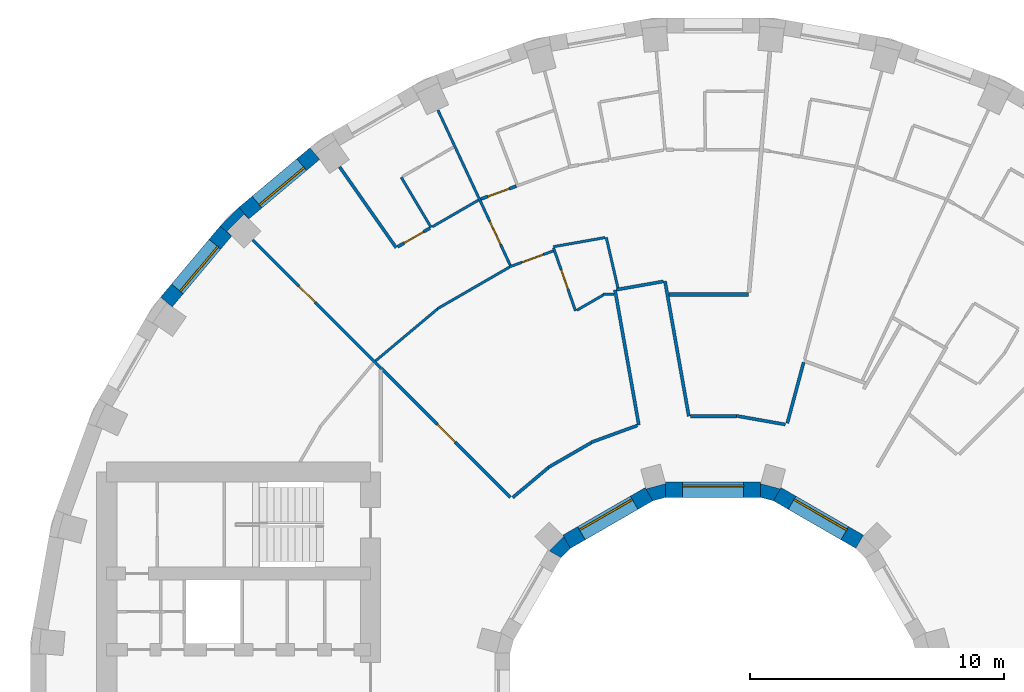
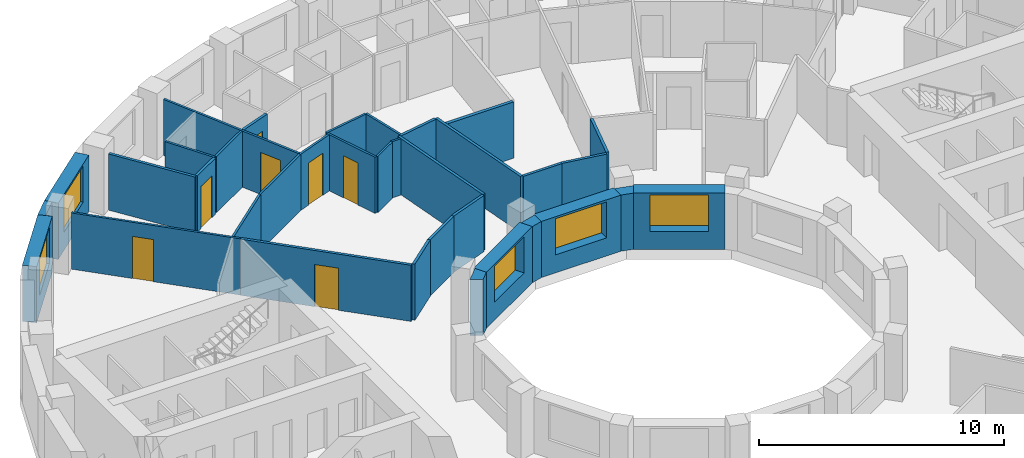
# One storey, part 11 of 16: 35 walls, 7 doors, 5 windows, 12 openings.
"""IFC4 building model written with IfcOpenShell, lengths in metres."""

from ifc_helpers import new_model, si_unit, direction, frame, frame_2d, origin, place, context, subcontext, project, spatial, polyline, rectangle, outline, extrude, material, layer, layer_set, type_object, element, fill, save


model = new_model("IFC4")

# Units and contexts
model_context = context("Model", 3, precision=1e-05, world=origin(), true_north=direction((0.0, 1.0)))
body_context = subcontext(model_context, "Body", "Model", "MODEL_VIEW")
ifc_project = project(units=[si_unit("LENGTHUNIT", "METRE"), si_unit("AREAUNIT", "SQUARE_METRE"), si_unit("VOLUMEUNIT", "CUBIC_METRE"), si_unit("PLANEANGLEUNIT", "RADIAN"), si_unit("MASSUNIT", "GRAM", prefix="KILO")], contexts=[model_context])

# Site, building, storey
site_placement = place(None, origin())
site = spatial("IfcSite", under=ifc_project, at=site_placement, CompositionType="ELEMENT")
building_placement = place(site_placement, origin())
building = spatial("IfcBuilding", under=site, at=building_placement, Name="Saqina Gate Tower", CompositionType="ELEMENT")
storey_placement = place(building_placement, frame((0.0, 0.0, 128.199951171875)))
storey = spatial("IfcBuildingStorey", under=building, at=storey_placement, Name="L36", CompositionType="ELEMENT", Elevation=128.199951171875)

# Wall
ifc_material_1 = material(Name="Brick masonry (buff)", Category="masonry")
wall_type_1 = type_object("IfcWallType", Name="BRICK PIER COPING BUFF", PredefinedType="SOLIDWALL", material=ifc_material_1)
wall_1_placement = place(storey_placement, origin())
element("IfcWall", 1, at=wall_1_placement, inside=storey, type_object=wall_type_1, Name="Pier cap L36 column 14", PredefinedType="SOLIDWALL", context=body_context, shape_type="SweptSolid", body=[
    extrude(outline(polyline([(-18.686279296875, 19.43212890625), (-19.43212890625, 18.686279296875), (-18.972412109375, 18.30078125), (-19.16259765625, 18.49072265625), (-18.49072265625, 19.16259765625), (-18.30078125, 18.972412109375), (-18.686279296875, 19.43212890625)])), origin(), (0.0, 0.0, 1.0), 2.800048828125),
])

# Wall, opening, window
ifc_material_2 = material(Name="Brick masonry (buff)", Category="masonry")
ifc_layer_1 = layer(ifc_material_2, 0.60009765625)
ifc_layer_set_1 = layer_set([ifc_layer_1], Name="FW-BRICK-BUFF")
wall_type_2 = type_object("IfcWallType", Name="FW-BRICK-BUFF", PredefinedType="SOLIDWALL", material=ifc_layer_set_1)
wall_2_placement = place(storey_placement, frame((-15.69921875, 21.547119140625, 0.0), z_axis=(0.0, 0.0, 1.0), x_axis=(-0.766055462616, -0.642774476932, 0.0)))
wall_2 = element("IfcWall", 2, at=wall_2_placement, inside=storey, type_object=wall_type_2, Name="Facade wall L36 facet 13", PredefinedType="SOLIDWALL", context=body_context, shape_type="SweptSolid", body=[
    extrude(rectangle(XDim=3.647705078125, YDim=0.60009765625, at=frame_2d((1.82373046875, 0.0))), origin(), (0.0, 0.0, 1.0), 2.800048828125),
])
opening_1_placement = place(wall_2_placement, frame((0.673828125, 0.0, 0.89990234375)))
opening_1 = element("IfcOpeningElement", 3, at=opening_1_placement, cuts=wall_2, Name="Opening G10-W11", PredefinedType="OPENING", context=body_context, shape_type="SweptSolid", body=[
    extrude(rectangle(XDim=2.300048828125, YDim=1.800048828125, at=frame_2d((1.14990234375, 0.89990234375))), frame((0.0, 0.31201171875, 0.0), z_axis=(0.0, -1.0, 0.0), x_axis=(1.0, 0.0, 0.0)), (0.0, 0.0, 1.0), 0.6240234375),
])
ifc_material_3 = material(Name="Aluminium glazing", Category="aluminium")
window_type_1 = type_object("IfcWindowType", Name="WN-B", PartitioningType="SINGLE_PANEL", PredefinedType="WINDOW", material=ifc_material_3)
window_1_placement = place(opening_1_placement, origin())
window_1 = element("IfcWindow", 4, at=window_1_placement, inside=storey, type_object=window_type_1, Name="Window L36 facet 13", OverallHeight=1.800048828125, OverallWidth=2.300048828125, PartitioningType="SINGLE_PANEL", PredefinedType="WINDOW", context=body_context, shape_type="SweptSolid", body=[
    extrude(rectangle(XDim=2.300048828125, YDim=1.800048828125, at=frame_2d((1.14990234375, 0.89990234375))), frame((0.0, 0.179931640625, 0.0), z_axis=(0.0, -1.0, 0.0), x_axis=(1.0, 0.0, 0.0)), (0.0, 0.0, 1.0), 0.06005859375),
])
fill(opening_1, window_1)

wall_3_placement = place(storey_placement, frame((-19.202392578125, 18.49365234375, 0.0), z_axis=(0.0, 0.0, 1.0), x_axis=(-0.642774476932, -0.766055462616, 0.0)))
wall_3 = element("IfcWall", 5, at=wall_3_placement, inside=storey, type_object=wall_type_2, Name="Facade wall L36 facet 14", PredefinedType="SOLIDWALL", context=body_context, shape_type="SweptSolid", body=[
    extrude(rectangle(XDim=3.647705078125, YDim=0.60009765625, at=frame_2d((1.82373046875, 0.0))), origin(), (0.0, 0.0, 1.0), 2.800048828125),
])
opening_2_placement = place(wall_3_placement, frame((0.673828125, 0.0, 0.89990234375)))
opening_2 = element("IfcOpeningElement", 6, at=opening_2_placement, cuts=wall_3, Name="Opening G10-W12", PredefinedType="OPENING", context=body_context, shape_type="SweptSolid", body=[
    extrude(rectangle(XDim=2.300048828125, YDim=1.800048828125, at=frame_2d((1.14990234375, 0.89990234375))), frame((0.0, 0.31201171875, 0.0), z_axis=(0.0, -1.0, 0.0), x_axis=(1.0, 0.0, 0.0)), (0.0, 0.0, 1.0), 0.6240234375),
])
window_2_placement = place(opening_2_placement, origin())
window_2 = element("IfcWindow", 7, at=window_2_placement, inside=storey, type_object=window_type_1, Name="Window L36 facet 14", OverallHeight=1.800048828125, OverallWidth=2.300048828125, PartitioningType="SINGLE_PANEL", PredefinedType="WINDOW", context=body_context, shape_type="SweptSolid", body=[
    extrude(rectangle(XDim=2.300048828125, YDim=1.800048828125, at=frame_2d((1.14990234375, 0.89990234375))), frame((0.0, 0.179931640625, 0.0), z_axis=(0.0, -1.0, 0.0), x_axis=(1.0, 0.0, 0.0)), (0.0, 0.0, 1.0), 0.06005859375),
])
fill(opening_2, window_2)

ifc_material_4 = material(Name="Glazed ceramic tile", Category="ceramic")
ifc_layer_2 = layer(ifc_material_4, 0.60009765625)
ifc_layer_set_2 = layer_set([ifc_layer_2], Name="IW-TILE")
wall_type_3 = type_object("IfcWallType", Name="IW-TILE", PredefinedType="SOLIDWALL", material=ifc_layer_set_2)
wall_4_placement = place(storey_placement, frame((5.772705078125, 6.251220703125, 0.0), z_axis=(0.0, 0.0, 1.0), x_axis=(-0.86604563398, 0.499964958637, 0.0)))
wall_4 = element("IfcWall", 8, at=wall_4_placement, inside=storey, type_object=wall_type_3, Name="Well wall L36 facet 2", PredefinedType="SOLIDWALL", context=body_context, shape_type="SweptSolid", body=[
    extrude(rectangle(XDim=3.747314453125, YDim=0.60009765625, at=frame_2d((1.87353515625, 0.0))), origin(), (0.0, 0.0, 1.0), 2.800048828125),
])
opening_3_placement = place(wall_4_placement, frame((0.673583984375, 0.0, 0.89990234375)))
opening_3 = element("IfcOpeningElement", 9, at=opening_3_placement, cuts=wall_4, Name="Opening G10-W24", PredefinedType="OPENING", context=body_context, shape_type="SweptSolid", body=[
    extrude(rectangle(XDim=2.39990234375, YDim=1.800048828125, at=frame_2d((1.199951171875, 0.89990234375))), frame((0.0, 0.31201171875, 0.0), z_axis=(0.0, -1.0, 0.0), x_axis=(1.0, 0.0, 0.0)), (0.0, 0.0, 1.0), 0.6240234375),
])
ifc_material_5 = material(Name="Aluminium glazing", Category="aluminium")
window_type_2 = type_object("IfcWindowType", Name="WN-W", PartitioningType="SINGLE_PANEL", PredefinedType="WINDOW", material=ifc_material_5)
window_3_placement = place(opening_3_placement, origin())
window_3 = element("IfcWindow", 10, at=window_3_placement, inside=storey, type_object=window_type_2, Name="Well window L36 facet 2", OverallHeight=1.800048828125, OverallWidth=2.39990234375, PartitioningType="SINGLE_PANEL", PredefinedType="WINDOW", context=body_context, shape_type="SweptSolid", body=[
    extrude(rectangle(XDim=2.39990234375, YDim=1.800048828125, at=frame_2d((1.199951171875, 0.89990234375))), frame((0.0, -0.119873046875, 0.0), z_axis=(0.0, -1.0, 0.0), x_axis=(1.0, 0.0, 0.0)), (0.0, 0.0, 1.0), 0.06005859375),
])
fill(opening_3, window_3)

wall_5_placement = place(storey_placement, frame((1.873779296875, 8.300048828125, 0.0), z_axis=(0.0, 0.0, 1.0), x_axis=(-1.0, 0.0, 0.0)))
wall_5 = element("IfcWall", 11, at=wall_5_placement, inside=storey, type_object=wall_type_3, Name="Well wall L36 facet 3", PredefinedType="SOLIDWALL", context=body_context, shape_type="SweptSolid", body=[
    extrude(rectangle(XDim=3.74755859375, YDim=0.60009765625, at=frame_2d((1.873779296875, 0.0))), origin(), (0.0, 0.0, 1.0), 2.800048828125),
])
opening_4_placement = place(wall_5_placement, frame((0.673583984375, 0.0, 0.89990234375)))
opening_4 = element("IfcOpeningElement", 12, at=opening_4_placement, cuts=wall_5, Name="Opening G10-W25", PredefinedType="OPENING", context=body_context, shape_type="SweptSolid", body=[
    extrude(rectangle(XDim=2.39990234375, YDim=1.800048828125, at=frame_2d((1.199951171875, 0.89990234375))), frame((0.0, 0.31201171875, 0.0), z_axis=(0.0, -1.0, 0.0), x_axis=(1.0, 0.0, 0.0)), (0.0, 0.0, 1.0), 0.6240234375),
])
window_4_placement = place(opening_4_placement, origin())
window_4 = element("IfcWindow", 13, at=window_4_placement, inside=storey, type_object=window_type_2, Name="Well window L36 facet 3", OverallHeight=1.800048828125, OverallWidth=2.39990234375, PartitioningType="SINGLE_PANEL", PredefinedType="WINDOW", context=body_context, shape_type="SweptSolid", body=[
    extrude(rectangle(XDim=2.39990234375, YDim=1.800048828125, at=frame_2d((1.199951171875, 0.89990234375))), frame((0.0, -0.119873046875, 0.0), z_axis=(0.0, -1.0, 0.0), x_axis=(1.0, 0.0, 0.0)), (0.0, 0.0, 1.0), 0.06005859375),
])
fill(opening_4, window_4)

wall_6_placement = place(storey_placement, frame((-2.52734375, 8.124755859375, 0.0), z_axis=(0.0, 0.0, 1.0), x_axis=(-0.86604563398, -0.499964958637, 0.0)))
wall_6 = element("IfcWall", 14, at=wall_6_placement, inside=storey, type_object=wall_type_3, Name="Well wall L36 facet 4", PredefinedType="SOLIDWALL", context=body_context, shape_type="SweptSolid", body=[
    extrude(rectangle(XDim=3.747314453125, YDim=0.60009765625, at=frame_2d((1.87353515625, 0.0))), origin(), (0.0, 0.0, 1.0), 2.800048828125),
])
opening_5_placement = place(wall_6_placement, frame((0.673583984375, 0.0, 0.89990234375)))
opening_5 = element("IfcOpeningElement", 15, at=opening_5_placement, cuts=wall_6, Name="Opening G10-W26", PredefinedType="OPENING", context=body_context, shape_type="SweptSolid", body=[
    extrude(rectangle(XDim=2.39990234375, YDim=1.800048828125, at=frame_2d((1.199951171875, 0.89990234375))), frame((0.0, 0.31201171875, 0.0), z_axis=(0.0, -1.0, 0.0), x_axis=(1.0, 0.0, 0.0)), (0.0, 0.0, 1.0), 0.6240234375),
])
window_5_placement = place(opening_5_placement, origin())
window_5 = element("IfcWindow", 16, at=window_5_placement, inside=storey, type_object=window_type_2, Name="Well window L36 facet 4", OverallHeight=1.800048828125, OverallWidth=2.39990234375, PartitioningType="SINGLE_PANEL", PredefinedType="WINDOW", context=body_context, shape_type="SweptSolid", body=[
    extrude(rectangle(XDim=2.39990234375, YDim=1.800048828125, at=frame_2d((1.199951171875, 0.89990234375))), frame((0.0, -0.119873046875, 0.0), z_axis=(0.0, -1.0, 0.0), x_axis=(1.0, 0.0, 0.0)), (0.0, 0.0, 1.0), 0.06005859375),
])
fill(opening_5, window_5)

# Wall
ifc_material_6 = material(Name="Gypsum board on steel studs, 100 mm", Category="steel")
ifc_layer_3 = layer(ifc_material_6, 0.10009765625)
ifc_layer_set_3 = layer_set([ifc_layer_3], Name="PARTITION 100")
wall_type_4 = type_object("IfcWallType", Name="PARTITION 100", PredefinedType="PARTITIONING", material=ifc_layer_set_3)
wall_7_placement = place(storey_placement, frame((-4.2119140625, 18.24609375, 0.0), z_axis=(0.0, 0.0, 1.0), x_axis=(0.224815815327, -0.974401277287, 0.0)))
element("IfcWall", 17, at=wall_7_placement, inside=storey, type_object=wall_type_4, Name="PARTITION PW3-06", PredefinedType="PARTITIONING", context=body_context, shape_type="SweptSolid", body=[
    extrude(rectangle(XDim=2.04052734375, YDim=0.10009765625, at=frame_2d((1.020263671875, 0.0))), origin(), (0.0, 0.0, 1.0), 2.800048828125),
])

# Wall, opening, door
wall_8_placement = place(storey_placement, frame((-6.2919921875, 17.8349609375, 0.0), z_axis=(0.0, 0.0, 1.0), x_axis=(0.329581778564, -0.944127031304, 0.0)))
wall_8 = element("IfcWall", 18, at=wall_8_placement, inside=storey, type_object=wall_type_4, Name="PARTITION PW3-09", PredefinedType="PARTITIONING", context=body_context, shape_type="SweptSolid", body=[
    extrude(rectangle(XDim=2.6318359375, YDim=0.10009765625, at=frame_2d((1.31591796875, 0.0))), origin(), (0.0, 0.0, 1.0), 2.800048828125),
])
opening_6_placement = place(wall_8_placement, frame((0.916015625, 0.0, 0.0)))
opening_6 = element("IfcOpeningElement", 19, at=opening_6_placement, cuts=wall_8, Name="Opening G10-D21", PredefinedType="OPENING", context=body_context, shape_type="SweptSolid", body=[
    extrude(rectangle(XDim=0.800048828125, YDim=2.10009765625, at=frame_2d((0.39990234375, 1.050048828125))), frame((0.0, 0.06201171875, 0.0), z_axis=(0.0, -1.0, 0.0), x_axis=(1.0, 0.0, 0.0)), (0.0, 0.0, 1.0), 0.1240234375),
])
ifc_material_7 = material(Name="Timber door leaf, 800 mm", Category="wood")
door_type_1 = type_object("IfcDoorType", Name="DOOR 800 TIMBER", OperationType="SINGLE_SWING_LEFT", PredefinedType="DOOR", material=ifc_material_7)
door_1_placement = place(opening_6_placement, frame((0.800048828125, 0.0, 0.0), z_axis=(0.0, 0.0, 1.0), x_axis=(-1.0, 0.0, 0.0)))
door_1 = element("IfcDoor", 20, at=door_1_placement, inside=storey, type_object=door_type_1, Name="DOOR G10-D21", OperationType="SINGLE_SWING_RIGHT", OverallHeight=2.10009765625, OverallWidth=0.800048828125, PredefinedType="DOOR", context=body_context, shape_type="SweptSolid", body=[
    extrude(rectangle(XDim=0.800048828125, YDim=2.10009765625, at=frame_2d((0.39990234375, 1.050048828125))), frame((0.0, 0.02490234375, 0.0), z_axis=(0.0, -1.0, 0.0), x_axis=(1.0, 0.0, 0.0)), (0.0, 0.0, 1.0), 0.050048828125),
])
fill(opening_6, door_1)

wall_9_placement = place(storey_placement, frame((-10.846435546875, 23.26025390625, 0.0), z_axis=(0.0, 0.0, 1.0), x_axis=(0.422617898312, -0.906307956506, 0.0)))
wall_9 = element("IfcWall", 21, at=wall_9_placement, inside=storey, type_object=wall_type_4, Name="PARTITION PW3-13", PredefinedType="PARTITIONING", context=body_context, shape_type="SweptSolid", body=[
    extrude(rectangle(XDim=6.743896484375, YDim=0.10009765625, at=frame_2d((3.3720703125, 0.0))), origin(), (0.0, 0.0, 1.0), 2.800048828125),
])
opening_7_placement = place(wall_9_placement, frame((4.839111328125, 0.0, 0.0)))
opening_7 = element("IfcOpeningElement", 22, at=opening_7_placement, cuts=wall_9, Name="Opening G10-D24", PredefinedType="OPENING", context=body_context, shape_type="SweptSolid", body=[
    extrude(rectangle(XDim=1.0, YDim=2.10009765625, at=frame_2d((0.5, 1.050048828125))), frame((0.0, 0.06201171875, 0.0), z_axis=(0.0, -1.0, 0.0), x_axis=(1.0, 0.0, 0.0)), (0.0, 0.0, 1.0), 0.1240234375),
])
ifc_material_8 = material(Name="Timber door leaf, 1000 mm", Category="wood")
door_type_2 = type_object("IfcDoorType", Name="DOOR 1000 TIMBER", OperationType="SINGLE_SWING_LEFT", PredefinedType="DOOR", material=ifc_material_8)
door_2_placement = place(opening_7_placement, origin())
door_2 = element("IfcDoor", 23, at=door_2_placement, inside=storey, type_object=door_type_2, Name="DOOR G10-D24", OperationType="SINGLE_SWING_RIGHT", OverallHeight=2.10009765625, OverallWidth=1.0, PredefinedType="DOOR", context=body_context, shape_type="SweptSolid", body=[
    extrude(rectangle(XDim=1.0, YDim=2.10009765625, at=frame_2d((0.5, 1.050048828125))), frame((0.0, 0.02490234375, 0.0), z_axis=(0.0, -1.0, 0.0), x_axis=(1.0, 0.0, 0.0)), (0.0, 0.0, 1.0), 0.050048828125),
])
fill(opening_7, door_2)

# Wall
wall_10_placement = place(storey_placement, frame((-12.2919921875, 20.613037109375, 0.0), z_axis=(0.0, 0.0, 1.0), x_axis=(0.512043462342, -0.858959540766, 0.0)))
element("IfcWall", 24, at=wall_10_placement, inside=storey, type_object=wall_type_4, Name="PARTITION PW3-17", PredefinedType="PARTITIONING", context=body_context, shape_type="SweptSolid", body=[
    extrude(rectangle(XDim=2.300537109375, YDim=0.10009765625, at=frame_2d((1.150390625, 0.0))), origin(), (0.0, 0.0, 1.0), 2.800048828125),
])

# Wall, opening, door
wall_11_placement = place(storey_placement, frame((-18.14794921875, 18.14794921875, 0.0), z_axis=(0.0, 0.0, 1.0), x_axis=(0.707106781187, -0.707106781187, 0.0)))
wall_11 = element("IfcWall", 25, at=wall_11_placement, inside=storey, type_object=wall_type_4, Name="PARTITION PW3-26", PredefinedType="PARTITIONING", context=body_context, shape_type="SweptSolid", body=[
    extrude(rectangle(XDim=7.138671875, YDim=0.10009765625, at=frame_2d((3.5693359375, 0.0))), origin(), (0.0, 0.0, 1.0), 2.800048828125),
])
opening_8_placement = place(wall_11_placement, frame((2.57958984375, 0.0, 0.0)))
opening_8 = element("IfcOpeningElement", 26, at=opening_8_placement, cuts=wall_11, Name="Opening G10-D28", PredefinedType="OPENING", context=body_context, shape_type="SweptSolid", body=[
    extrude(rectangle(XDim=0.89990234375, YDim=2.10009765625, at=frame_2d((0.449951171875, 1.050048828125))), frame((0.0, 0.06201171875, 0.0), z_axis=(0.0, -1.0, 0.0), x_axis=(1.0, 0.0, 0.0)), (0.0, 0.0, 1.0), 0.1240234375),
])
ifc_material_9 = material(Name="Timber door leaf, 900 mm", Category="wood")
door_type_3 = type_object("IfcDoorType", Name="DOOR 900 TIMBER", OperationType="SINGLE_SWING_LEFT", PredefinedType="DOOR", material=ifc_material_9)
door_3_placement = place(opening_8_placement, frame((0.89990234375, 0.0, 0.0), z_axis=(0.0, 0.0, 1.0), x_axis=(-1.0, 0.0, 0.0)))
door_3 = element("IfcDoor", 27, at=door_3_placement, inside=storey, type_object=door_type_3, Name="DOOR G10-D28", OperationType="SINGLE_SWING_RIGHT", OverallHeight=2.10009765625, OverallWidth=0.89990234375, PredefinedType="DOOR", context=body_context, shape_type="SweptSolid", body=[
    extrude(rectangle(XDim=0.89990234375, YDim=2.10009765625, at=frame_2d((0.449951171875, 1.050048828125))), frame((0.0, 0.02490234375, 0.0), z_axis=(0.0, -1.0, 0.0), x_axis=(1.0, 0.0, 0.0)), (0.0, 0.0, 1.0), 0.050048828125),
])
fill(opening_8, door_3)

# Walls
wall_12_placement = place(storey_placement, frame((-4.345703125, 16.001953125, 0.0), z_axis=(0.0, 0.0, 1.0), x_axis=(1.0, 0.0, 0.0)))
element("IfcWall", 28, at=wall_12_placement, inside=storey, type_object=wall_type_4, Name="PARTITION PW3-54", PredefinedType="PARTITIONING", context=body_context, shape_type="SweptSolid", body=[
    extrude(rectangle(XDim=0.44677734375, YDim=0.10009765625, at=frame_2d((0.223388671875, 0.0))), origin(), (0.0, 0.0, 1.0), 2.800048828125),
])
wall_13_placement = place(storey_placement, frame((-6.300048828125, 17.8779296875, 0.0), z_axis=(0.0, 0.0, 1.0), x_axis=(0.984823916484, 0.173556485102, 0.0)))
element("IfcWall", 29, at=wall_13_placement, inside=storey, type_object=wall_type_4, Name="PARTITION PW3-60", PredefinedType="PARTITIONING", context=body_context, shape_type="SweptSolid", body=[
    extrude(rectangle(XDim=2.0693359375, YDim=0.10009765625, at=frame_2d((1.03466796875, 0.0))), origin(), (0.0, 0.0, 1.0), 2.800048828125),
])

# Wall, opening, door
wall_14_placement = place(storey_placement, frame((-8.022705078125, 17.085693359375, 0.0), z_axis=(0.0, 0.0, 1.0), x_axis=(0.93970385633, 0.341989272345, 0.0)))
wall_14 = element("IfcWall", 30, at=wall_14_placement, inside=storey, type_object=wall_type_4, Name="PARTITION PW3-65", PredefinedType="PARTITIONING", context=body_context, shape_type="SweptSolid", body=[
    extrude(rectangle(XDim=1.8310546875, YDim=0.10009765625, at=frame_2d((0.91552734375, 0.0))), origin(), (0.0, 0.0, 1.0), 2.800048828125),
])
opening_9_placement = place(wall_14_placement, frame((0.51611328125, 0.0, 0.0)))
opening_9 = element("IfcOpeningElement", 31, at=opening_9_placement, cuts=wall_14, Name="Opening G10-D22", PredefinedType="OPENING", context=body_context, shape_type="SweptSolid", body=[
    extrude(rectangle(XDim=0.89990234375, YDim=2.10009765625, at=frame_2d((0.449951171875, 1.050048828125))), frame((0.0, 0.06201171875, 0.0), z_axis=(0.0, -1.0, 0.0), x_axis=(1.0, 0.0, 0.0)), (0.0, 0.0, 1.0), 0.1240234375),
])
door_4_placement = place(opening_9_placement, frame((0.89990234375, 0.0, 0.0), z_axis=(0.0, 0.0, 1.0), x_axis=(-1.0, 0.0, 0.0)))
door_4 = element("IfcDoor", 32, at=door_4_placement, inside=storey, type_object=door_type_3, Name="DOOR G10-D22", OperationType="SINGLE_SWING_LEFT", OverallHeight=2.10009765625, OverallWidth=0.89990234375, PredefinedType="DOOR", context=body_context, shape_type="SweptSolid", body=[
    extrude(rectangle(XDim=0.89990234375, YDim=2.10009765625, at=frame_2d((0.449951171875, 1.050048828125))), frame((0.0, 0.02490234375, 0.0), z_axis=(0.0, -1.0, 0.0), x_axis=(1.0, 0.0, 0.0)), (0.0, 0.0, 1.0), 0.050048828125),
])
fill(opening_9, door_4)

# Walls
wall_15_placement = place(storey_placement, frame((-5.37158203125, 15.3740234375, 0.0), z_axis=(0.0, 0.0, 1.0), x_axis=(0.866111216017, 0.499851339389, 0.0)))
element("IfcWall", 33, at=wall_15_placement, inside=storey, type_object=wall_type_4, Name="PARTITION PW3-71", PredefinedType="PARTITIONING", context=body_context, shape_type="SweptSolid", body=[
    extrude(rectangle(XDim=1.202392578125, YDim=0.10009765625, at=frame_2d((0.60107421875, 0.0))), origin(), (0.0, 0.0, 1.0), 2.800048828125),
])
wall_16_placement = place(storey_placement, frame((-10.867919921875, 15.4326171875, 0.0), z_axis=(0.0, 0.0, 1.0), x_axis=(0.866020017222, 0.500009329683, 0.0)))
element("IfcWall", 34, at=wall_16_placement, inside=storey, type_object=wall_type_4, Name="PARTITION PW3-72", PredefinedType="PARTITIONING", context=body_context, shape_type="SweptSolid", body=[
    extrude(rectangle(XDim=3.29052734375, YDim=0.10009765625, at=frame_2d((1.645263671875, 0.0))), origin(), (0.0, 0.0, 1.0), 2.800048828125),
])
wall_17_placement = place(storey_placement, frame((-11.07080078125, 18.662109375, 0.0), z_axis=(0.0, 0.0, 1.0), x_axis=(0.865870655861, 0.50026793553, 0.0)))
element("IfcWall", 35, at=wall_17_placement, inside=storey, type_object=wall_type_4, Name="PARTITION PW3-73", PredefinedType="PARTITIONING", context=body_context, shape_type="SweptSolid", body=[
    extrude(rectangle(XDim=2.104736328125, YDim=0.10009765625, at=frame_2d((1.05224609375, 0.0))), origin(), (0.0, 0.0, 1.0), 2.800048828125),
])
wall_18_placement = place(storey_placement, frame((-13.3056640625, 13.376220703125, 0.0), z_axis=(0.0, 0.0, 1.0), x_axis=(0.766146553843, 0.642665899232, 0.0)))
element("IfcWall", 36, at=wall_18_placement, inside=storey, type_object=wall_type_4, Name="PARTITION PW3-80", PredefinedType="PARTITIONING", context=body_context, shape_type="SweptSolid", body=[
    extrude(rectangle(XDim=3.189208984375, YDim=0.10009765625, at=frame_2d((1.5947265625, 0.0))), origin(), (0.0, 0.0, 1.0), 2.800048828125),
])
ifc_material_10 = material(Name="Gypsum board on steel studs, 125 mm, fire rated", Category="steel")
ifc_layer_4 = layer(ifc_material_10, 0.125)
ifc_layer_set_4 = layer_set([ifc_layer_4], Name="PARTITION EI 30 125")
wall_type_5 = type_object("IfcWallType", Name="PARTITION EI 30 125", PredefinedType="PARTITIONING", material=ifc_layer_set_4)
wall_19_placement = place(storey_placement, frame((-3.866943359375, 16.174072265625, 0.0), z_axis=(0.0, 0.0, 1.0), x_axis=(0.173602314867, -0.98481583876, 0.0)))
element("IfcWall", 37, at=wall_19_placement, inside=storey, type_object=wall_type_5, Name="PARTITION PW1-01", PredefinedType="PARTITIONING", context=body_context, shape_type="SweptSolid", body=[
    extrude(rectangle(XDim=5.403076171875, YDim=0.125, at=frame_2d((2.70166015625, 0.0))), origin(), (0.0, 0.0, 1.0), 2.800048828125),
])
wall_20_placement = place(storey_placement, frame((-1.89794921875, 16.52099609375, 0.0), z_axis=(0.0, 0.0, 1.0), x_axis=(0.173777601074, -0.984784923405, 0.0)))
element("IfcWall", 38, at=wall_20_placement, inside=storey, type_object=wall_type_5, Name="PARTITION PW1-02", PredefinedType="PARTITIONING", context=body_context, shape_type="SweptSolid", body=[
    extrude(rectangle(XDim=5.4033203125, YDim=0.125, at=frame_2d((2.70166015625, 0.0))), origin(), (0.0, 0.0, 1.0), 2.800048828125),
])
wall_21_placement = place(storey_placement, frame((-14.720703125, 21.023681640625, 0.0), z_axis=(0.0, 0.0, 1.0), x_axis=(0.573453908861, -0.819237825306, 0.0)))
element("IfcWall", 39, at=wall_21_placement, inside=storey, type_object=wall_type_5, Name="PARTITION PW1-05", PredefinedType="PARTITIONING", context=body_context, shape_type="SweptSolid", body=[
    extrude(rectangle(XDim=3.884765625, YDim=0.125, at=frame_2d((1.9423828125, 0.0))), origin(), (0.0, 0.0, 1.0), 2.800048828125),
])

# Wall, opening, door
wall_22_placement = place(storey_placement, frame((-13.0859375, 13.0859375, 0.0), z_axis=(0.0, 0.0, 1.0), x_axis=(0.707208486583, -0.707005061159, 0.0)))
wall_22 = element("IfcWall", 40, at=wall_22_placement, inside=storey, type_object=wall_type_5, Name="PARTITION PW1-10", PredefinedType="PARTITIONING", context=body_context, shape_type="SweptSolid", body=[
    extrude(rectangle(XDim=7.200927734375, YDim=0.125, at=frame_2d((3.6005859375, 0.0))), origin(), (0.0, 0.0, 1.0), 2.800048828125),
])
opening_10_placement = place(wall_22_placement, frame((3.12646484375, 0.0, 0.0)))
opening_10 = element("IfcOpeningElement", 41, at=opening_10_placement, cuts=wall_22, Name="Opening G10-D27", PredefinedType="OPENING", context=body_context, shape_type="SweptSolid", body=[
    extrude(rectangle(XDim=1.0, YDim=2.10009765625, at=frame_2d((0.5, 1.050048828125))), frame((0.0, 0.074462890625, 0.0), z_axis=(0.0, -1.0, 0.0), x_axis=(1.0, 0.0, 0.0)), (0.0, 0.0, 1.0), 0.14892578125),
])
ifc_material_11 = material(Name="Fire door leaf EI 30, 1000 mm")
door_type_4 = type_object("IfcDoorType", Name="DOOR 1000 EI 30", OperationType="SINGLE_SWING_LEFT", PredefinedType="DOOR", material=ifc_material_11)
door_5_placement = place(opening_10_placement, origin())
door_5 = element("IfcDoor", 42, at=door_5_placement, inside=storey, type_object=door_type_4, Name="DOOR G10-D27", OperationType="SINGLE_SWING_RIGHT", OverallHeight=2.10009765625, OverallWidth=1.0, PredefinedType="DOOR", context=body_context, shape_type="SweptSolid", body=[
    extrude(rectangle(XDim=1.0, YDim=2.10009765625, at=frame_2d((0.5, 1.050048828125))), frame((0.0, 0.02490234375, 0.0), z_axis=(0.0, -1.0, 0.0), x_axis=(1.0, 0.0, 0.0)), (0.0, 0.0, 1.0), 0.050048828125),
])
fill(opening_10, door_5)

# Walls
wall_23_placement = place(storey_placement, frame((0.91748046875, 11.2109375, 0.0), z_axis=(0.0, 0.0, 1.0), x_axis=(0.984842502131, -0.173450990183, 0.0)))
element("IfcWall", 43, at=wall_23_placement, inside=storey, type_object=wall_type_5, Name="PARTITION PW1-25", PredefinedType="PARTITIONING", context=body_context, shape_type="SweptSolid", body=[
    extrude(rectangle(XDim=1.9580078125, YDim=0.125, at=frame_2d((0.97900390625, 0.0))), origin(), (0.0, 0.0, 1.0), 2.800048828125),
])
wall_24_placement = place(storey_placement, frame((-0.896484375, 11.199951171875, 0.0), z_axis=(0.0, 0.0, 1.0), x_axis=(1.0, 0.0, 0.0)))
element("IfcWall", 44, at=wall_24_placement, inside=storey, type_object=wall_type_5, Name="PARTITION PW1-29", PredefinedType="PARTITIONING", context=body_context, shape_type="SweptSolid", body=[
    extrude(rectangle(XDim=1.81396484375, YDim=0.125, at=frame_2d((0.906982421875, 0.0))), origin(), (0.0, 0.0, 1.0), 2.800048828125),
])
wall_25_placement = place(storey_placement, frame((-3.805419921875, 16.184814453125, 0.0), z_axis=(0.0, 0.0, 1.0), x_axis=(0.984829460828, 0.173525021494, 0.0)))
element("IfcWall", 45, at=wall_25_placement, inside=storey, type_object=wall_type_5, Name="PARTITION PW1-33", PredefinedType="PARTITIONING", context=body_context, shape_type="SweptSolid", body=[
    extrude(rectangle(XDim=1.87255859375, YDim=0.125, at=frame_2d((0.936279296875, 0.0))), origin(), (0.0, 0.0, 1.0), 2.800048828125),
])
wall_26_placement = place(storey_placement, frame((-4.810546875, 10.167236328125, 0.0), z_axis=(0.0, 0.0, 1.0), x_axis=(0.939506513074, 0.34253103785, 0.0)))
element("IfcWall", 46, at=wall_26_placement, inside=storey, type_object=wall_type_5, Name="PARTITION PW1-37", PredefinedType="PARTITIONING", context=body_context, shape_type="SweptSolid", body=[
    extrude(rectangle(XDim=1.940185546875, YDim=0.125, at=frame_2d((0.97021484375, 0.0))), origin(), (0.0, 0.0, 1.0), 2.800048828125),
])

# Wall, opening, door
wall_27_placement = place(storey_placement, frame((-9.157958984375, 19.757080078125, 0.0), z_axis=(0.0, 0.0, 1.0), x_axis=(0.939793423488, 0.341743063087, 0.0)))
wall_27 = element("IfcWall", 47, at=wall_27_placement, inside=storey, type_object=wall_type_5, Name="PARTITION PW1-38", PredefinedType="PARTITIONING", context=body_context, shape_type="SweptSolid", body=[
    extrude(rectangle(XDim=1.49169921875, YDim=0.125, at=frame_2d((0.745849609375, 0.0))), origin(), (0.0, 0.0, 1.0), 2.800048828125),
])
opening_11_placement = place(wall_27_placement, frame((0.2958984375, 0.0, 0.0)))
opening_11 = element("IfcOpeningElement", 48, at=opening_11_placement, cuts=wall_27, Name="Opening G10-D23", PredefinedType="OPENING", context=body_context, shape_type="SweptSolid", body=[
    extrude(rectangle(XDim=0.89990234375, YDim=2.10009765625, at=frame_2d((0.449951171875, 1.050048828125))), frame((0.0, 0.074462890625, 0.0), z_axis=(0.0, -1.0, 0.0), x_axis=(1.0, 0.0, 0.0)), (0.0, 0.0, 1.0), 0.14892578125),
])
ifc_material_12 = material(Name="Fire door leaf EI 30, 900 mm")
door_type_5 = type_object("IfcDoorType", Name="DOOR 900 EI 30", OperationType="SINGLE_SWING_LEFT", PredefinedType="DOOR", material=ifc_material_12)
door_6_placement = place(opening_11_placement, frame((0.89990234375, 0.0, 0.0), z_axis=(0.0, 0.0, 1.0), x_axis=(-1.0, 0.0, 0.0)))
door_6 = element("IfcDoor", 49, at=door_6_placement, inside=storey, type_object=door_type_5, Name="DOOR G10-D23", OperationType="SINGLE_SWING_RIGHT", OverallHeight=2.10009765625, OverallWidth=0.89990234375, PredefinedType="DOOR", context=body_context, shape_type="SweptSolid", body=[
    extrude(rectangle(XDim=0.89990234375, YDim=2.10009765625, at=frame_2d((0.449951171875, 1.050048828125))), frame((0.0, 0.02490234375, 0.0), z_axis=(0.0, -1.0, 0.0), x_axis=(1.0, 0.0, 0.0)), (0.0, 0.0, 1.0), 0.050048828125),
])
fill(opening_11, door_6)

# Wall
wall_28_placement = place(storey_placement, frame((-6.50244140625, 9.176513671875, 0.0), z_axis=(0.0, 0.0, 1.0), x_axis=(0.866328596722, 0.499474486338, 0.0)))
element("IfcWall", 50, at=wall_28_placement, inside=storey, type_object=wall_type_5, Name="PARTITION PW1-41", PredefinedType="PARTITIONING", context=body_context, shape_type="SweptSolid", body=[
    extrude(rectangle(XDim=1.96044921875, YDim=0.125, at=frame_2d((0.980224609375, 0.0))), origin(), (0.0, 0.0, 1.0), 2.800048828125),
])

# Wall, opening, door
wall_29_placement = place(storey_placement, frame((-12.435302734375, 17.874267578125, 0.0), z_axis=(0.0, 0.0, 1.0), x_axis=(0.866056109487, 0.499946812391, 0.0)))
wall_29 = element("IfcWall", 51, at=wall_29_placement, inside=storey, type_object=wall_type_5, Name="PARTITION PW1-42", PredefinedType="PARTITIONING", context=body_context, shape_type="SweptSolid", body=[
    extrude(rectangle(XDim=1.475830078125, YDim=0.125, at=frame_2d((0.73779296875, 0.0))), origin(), (0.0, 0.0, 1.0), 2.800048828125),
])
opening_12_placement = place(wall_29_placement, frame((0.292724609375, 0.0, 0.0)))
opening_12 = element("IfcOpeningElement", 52, at=opening_12_placement, cuts=wall_29, Name="Opening G10-D26", PredefinedType="OPENING", context=body_context, shape_type="SweptSolid", body=[
    extrude(rectangle(XDim=0.89990234375, YDim=2.10009765625, at=frame_2d((0.449951171875, 1.050048828125))), frame((0.0, 0.074462890625, 0.0), z_axis=(0.0, -1.0, 0.0), x_axis=(1.0, 0.0, 0.0)), (0.0, 0.0, 1.0), 0.14892578125),
])
door_7_placement = place(opening_12_placement, frame((0.89990234375, 0.0, 0.0), z_axis=(0.0, 0.0, 1.0), x_axis=(-1.0, 0.0, 0.0)))
door_7 = element("IfcDoor", 53, at=door_7_placement, inside=storey, type_object=door_type_5, Name="DOOR G10-D26", OperationType="SINGLE_SWING_LEFT", OverallHeight=2.10009765625, OverallWidth=0.89990234375, PredefinedType="DOOR", context=body_context, shape_type="SweptSolid", body=[
    extrude(rectangle(XDim=0.89990234375, YDim=2.10009765625, at=frame_2d((0.449951171875, 1.050048828125))), frame((0.0, 0.02490234375, 0.0), z_axis=(0.0, -1.0, 0.0), x_axis=(1.0, 0.0, 0.0)), (0.0, 0.0, 1.0), 0.050048828125),
])
fill(opening_12, door_7)

# Walls
wall_30_placement = place(storey_placement, frame((-7.902099609375, 7.990234375, 0.0), z_axis=(0.0, 0.0, 1.0), x_axis=(0.765904046375, 0.642954890911, 0.0)))
element("IfcWall", 54, at=wall_30_placement, inside=storey, type_object=wall_type_5, Name="PARTITION PW1-46", PredefinedType="PARTITIONING", context=body_context, shape_type="SweptSolid", body=[
    extrude(rectangle(XDim=1.834716796875, YDim=0.125, at=frame_2d((0.91748046875, 0.0))), origin(), (0.0, 0.0, 1.0), 2.800048828125),
])
wall_31_placement = place(storey_placement, frame((2.92333984375, 10.9208984375, 0.0), z_axis=(0.0, 0.0, 1.0), x_axis=(0.258837674225, 0.965920834438, 0.0)))
element("IfcWall", 55, at=wall_31_placement, inside=storey, type_object=wall_type_5, Name="PARTITION PW1-55", PredefinedType="PARTITIONING", context=body_context, shape_type="SweptSolid", body=[
    extrude(rectangle(XDim=2.482666015625, YDim=0.125, at=frame_2d((1.2412109375, 0.0))), origin(), (0.0, 0.0, 1.0), 2.800048828125),
])
ifc_material_13 = material(Name="Gypsum board on steel studs, 150 mm, fire rated", Category="steel")
ifc_layer_5 = layer(ifc_material_13, 0.14990234375)
ifc_layer_set_5 = layer_set([ifc_layer_5], Name="PARTITION EI 60 150")
wall_type_6 = type_object("IfcWallType", Name="PARTITION EI 60 150", PredefinedType="PARTITIONING", material=ifc_layer_set_5)
wall_32_placement = place(storey_placement, frame((-1.743408203125, 16.0, 0.0), z_axis=(0.0, 0.0, 1.0), x_axis=(1.0, 0.0, 0.0)))
element("IfcWall", 56, at=wall_32_placement, inside=storey, type_object=wall_type_6, Name="PARTITION PW2-03", PredefinedType="PARTITIONING", context=body_context, shape_type="SweptSolid", body=[
    extrude(rectangle(XDim=3.143310546875, YDim=0.14990234375, at=frame_2d((1.57177734375, 0.0))), origin(), (0.0, 0.0, 1.0), 2.800048828125),
])
ifc_material_14 = material(Name="Glazed ceramic tile", Category="ceramic")
wall_type_7 = type_object("IfcWallType", Name="TILE PIER COPING", PredefinedType="SOLIDWALL", material=ifc_material_14)
wall_33_placement = place(storey_placement, origin())
element("IfcWall", 57, at=wall_33_placement, inside=storey, type_object=wall_type_7, Name="Well pier cap L36 column 3", PredefinedType="SOLIDWALL", context=body_context, shape_type="SweptSolid", body=[
    extrude(outline(polyline([(1.873779296875, 8.5380859375), (1.873779296875, 8.0), (2.377197265625, 7.864990234375), (2.646484375, 8.3310546875), (1.873779296875, 8.5380859375)])), origin(), (0.0, 0.0, 1.0), 2.800048828125),
])
wall_34_placement = place(storey_placement, origin())
element("IfcWall", 58, at=wall_34_placement, inside=storey, type_object=wall_type_7, Name="Well pier cap L36 column 4", PredefinedType="SOLIDWALL", context=body_context, shape_type="SweptSolid", body=[
    extrude(outline(polyline([(-2.646484375, 8.3310546875), (-2.377197265625, 7.864990234375), (-1.873779296875, 8.0), (-1.873779296875, 8.5380859375), (-2.646484375, 8.3310546875)])), origin(), (0.0, 0.0, 1.0), 2.800048828125),
])
wall_35_placement = place(storey_placement, origin())
element("IfcWall", 59, at=wall_35_placement, inside=storey, type_object=wall_type_7, Name="Well pier cap L36 column 5", PredefinedType="SOLIDWALL", context=body_context, shape_type="SweptSolid", body=[
    extrude(outline(polyline([(-6.45751953125, 5.891845703125), (-5.991455078125, 5.622802734375), (-5.622802734375, 5.991455078125), (-5.891845703125, 6.45751953125), (-6.45751953125, 5.891845703125)])), origin(), (0.0, 0.0, 1.0), 2.800048828125),
])

save(model, "model.ifc")
